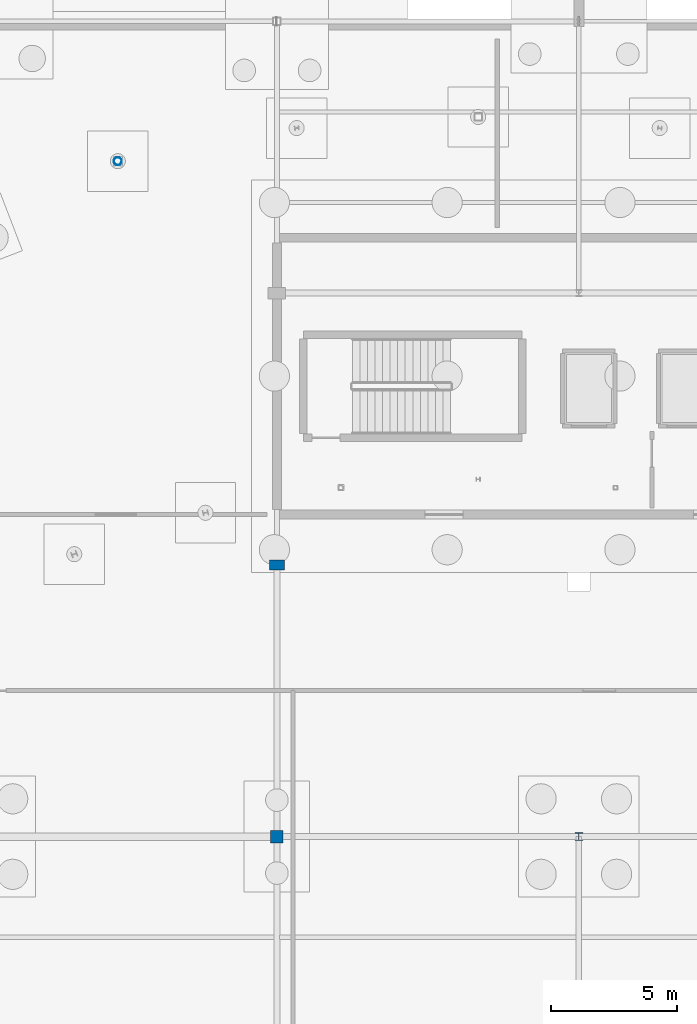
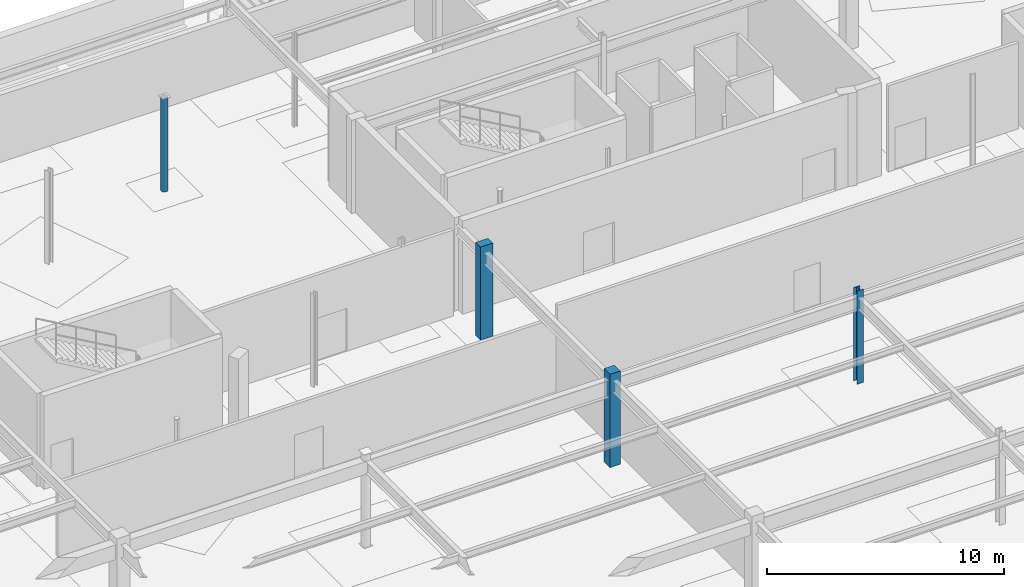
# One storey, part 38 of 136: 4 columns.
"""IFC4 building model written with IfcOpenShell, lengths in metres."""

from ifc_helpers import new_model, si_unit, direction, frame, origin, origin_2d, place, context, subcontext, project, spatial, rectangle, hollow_circle, i_section, extrude, material, material_profile, profile_set, type_object, element, save


model = new_model("IFC4")

# Units and contexts
model_context = context("Model", 3, precision=1e-05, world=origin(), true_north=direction((0.0, 1.0)))
body_context = subcontext(model_context, "Body", "Model", "MODEL_VIEW")
ifc_project = project(units=[si_unit("LENGTHUNIT", "METRE"), si_unit("AREAUNIT", "SQUARE_METRE"), si_unit("VOLUMEUNIT", "CUBIC_METRE"), si_unit("PLANEANGLEUNIT", "RADIAN"), si_unit("MASSUNIT", "GRAM", prefix="KILO")], contexts=[model_context])

# Site, building, storey
site_placement = place(None, origin())
site = spatial("IfcSite", under=ifc_project, at=site_placement, CompositionType="ELEMENT")
building_placement = place(site_placement, origin())
building = spatial("IfcBuilding", under=site, at=building_placement, Name="Tarnwether General Hospital", CompositionType="ELEMENT")
storey_placement = place(building_placement, frame((0.0, 0.0, -4.800048828125)))
storey = spatial("IfcBuildingStorey", under=building, at=storey_placement, Name="LG", CompositionType="ELEMENT", Elevation=-4.800048828125)

# Columns
ifc_material_1 = material(Name="Steel Grade 350 (350 MPa)", Category="steel")
ifc_material_profile_1 = material_profile(ifc_material_1, i_section(OverallWidth=0.304931640625, OverallDepth=0.30810546875, WebThickness=0.010009765625, FlangeThickness=0.015380859375, at=origin_2d()), Name="310UC96.8")
ifc_profile_set_1 = profile_set([ifc_material_profile_1], Name="Steel Grade 350 (350 MPa)")
column_type_1 = type_object("IfcColumnType", Name="COL-08", PredefinedType="COLUMN", material=ifc_profile_set_1)
column_1_placement = place(storey_placement, frame((96.0, 93.60009765625, 0.0), z_axis=(0.0, 0.0, 1.0), x_axis=(1.0, 0.0, 0.0)))
element("IfcColumn", 1, at=column_1_placement, inside=storey, type_object=column_type_1, Name="Column COLG-LG-9600_9360", PredefinedType="COLUMN", context=body_context, shape_type="SweptSolid", body=[
    extrude(i_section(OverallWidth=0.304931640625, OverallDepth=0.30810546875, WebThickness=0.010009765625, FlangeThickness=0.015380859375, at=origin_2d()), origin(), (0.0, 0.0, 1.0), 4.800048828125),
])
ifc_material_2 = material(Name="Concrete 50 MPa", Category="concrete")
ifc_material_profile_2 = material_profile(ifc_material_2, rectangle(XDim=0.5, YDim=0.5, at=origin_2d()), Name="RC-COL-500x500")
ifc_profile_set_2 = profile_set([ifc_material_profile_2], Name="Concrete 50 MPa")
column_type_2 = type_object("IfcColumnType", Name="COL-20", PredefinedType="COLUMN", material=ifc_profile_set_2)
column_2_placement = place(storey_placement, frame((84.0, 93.60009765625, 0.0), z_axis=(0.0, 0.0, 1.0), x_axis=(0.0, 1.0, 0.0)))
element("IfcColumn", 2, at=column_2_placement, inside=storey, type_object=column_type_2, Name="Column COLG-LG-8400_9360", PredefinedType="COLUMN", context=body_context, shape_type="SweptSolid", body=[
    extrude(rectangle(XDim=0.5, YDim=0.5, at=origin_2d()), origin(), (0.0, 0.0, 1.0), 4.800048828125),
])
ifc_material_3 = material(Name="Concrete 50 MPa", Category="concrete")
ifc_material_profile_3 = material_profile(ifc_material_3, rectangle(XDim=0.39990234375, YDim=0.60009765625, at=origin_2d()), Name="RC-PIL-400x600")
ifc_profile_set_3 = profile_set([ifc_material_profile_3], Name="Concrete 50 MPa")
column_type_3 = type_object("IfcColumnType", Name="COL-21", PredefinedType="PILASTER", material=ifc_profile_set_3)
column_3_placement = place(storey_placement, frame((84.0, 104.39990234375, 0.0), z_axis=(0.0, 0.0, 1.0), x_axis=(0.0, 1.0, 0.0)))
element("IfcColumn", 3, at=column_3_placement, inside=storey, type_object=column_type_3, Name="Column COLG-LG-8400_10440", PredefinedType="PILASTER", context=body_context, shape_type="SweptSolid", body=[
    extrude(rectangle(XDim=0.39990234375, YDim=0.60009765625, at=origin_2d()), origin(), (0.0, 0.0, 1.0), 4.800048828125),
])
ifc_material_4 = material(Name="Steel Grade C350L0 (350 MPa)", Category="steel")
ifc_material_profile_4 = material_profile(ifc_material_4, hollow_circle(Radius=0.161865234375, WallThickness=0.0126953125, at=origin_2d()), Name="CHS323.9x12.7")
ifc_profile_set_4 = profile_set([ifc_material_profile_4], Name="Steel Grade C350L0 (350 MPa)")
column_type_4 = type_object("IfcColumnType", Name="COL-26", PredefinedType="COLUMN", material=ifc_profile_set_4)
column_4_placement = place(storey_placement, frame((77.677978515625, 120.44189453125, 0.0), z_axis=(0.0, 0.0, 1.0), x_axis=(-0.2419218956, 0.970295726276, 0.0)))
element("IfcColumn", 4, at=column_4_placement, inside=storey, type_object=column_type_4, Name="Column COLG-LG-7768_12044", PredefinedType="COLUMN", context=body_context, shape_type="SweptSolid", body=[
    extrude(hollow_circle(Radius=0.161865234375, WallThickness=0.0126953125, at=origin_2d()), origin(), (0.0, 0.0, 1.0), 4.800048828125),
])

save(model, "model.ifc")
